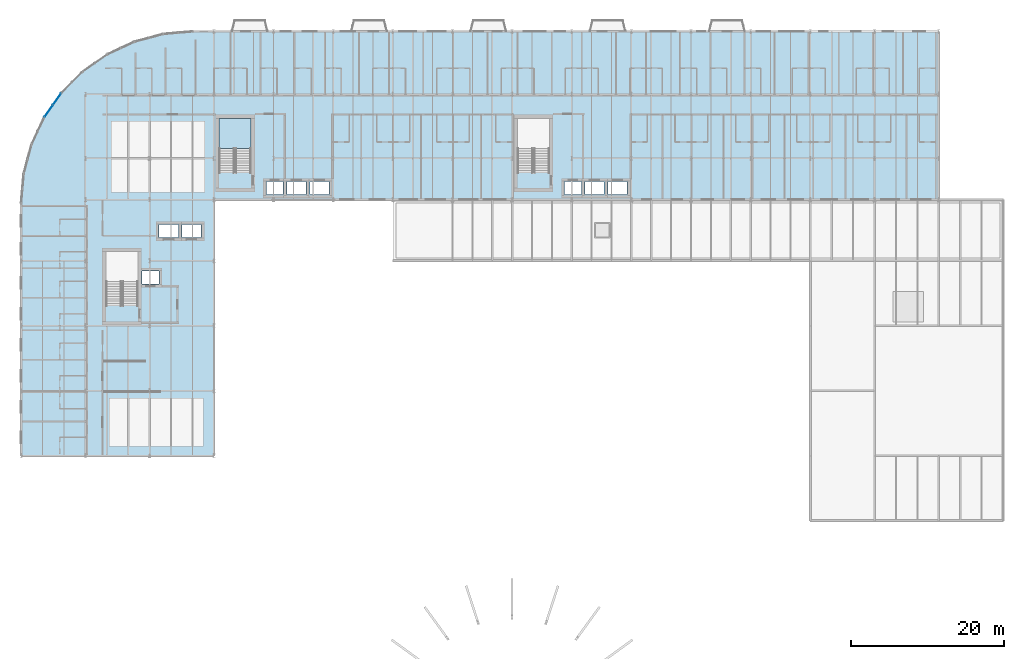
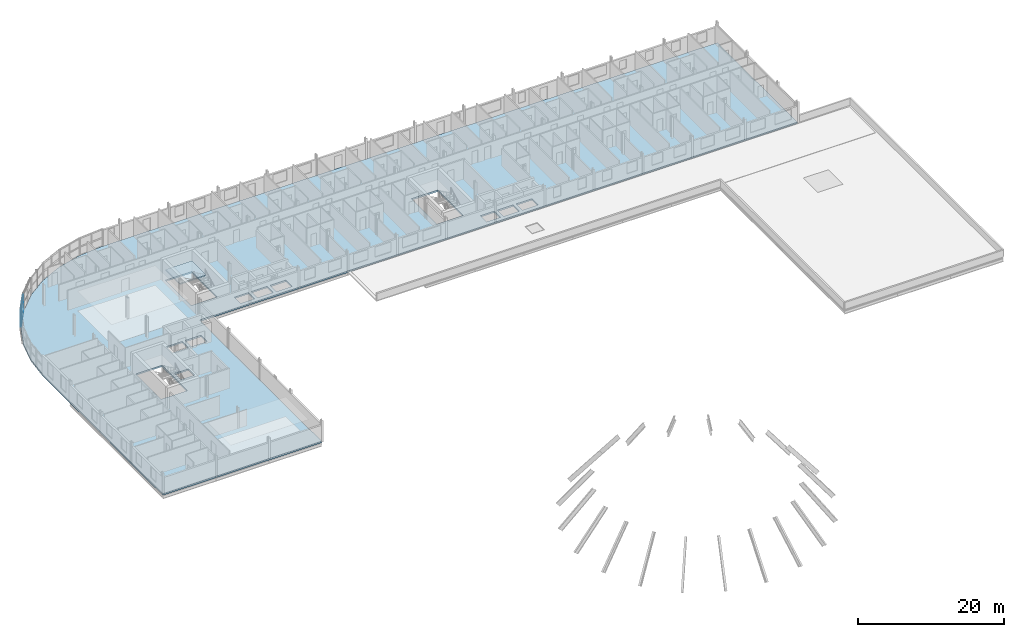
# One storey, part 15 of 36: 4 plates, 2 slabs, 2 elements without a shape of their own.
"""IFC4 building model written with IfcOpenShell, lengths in metres."""

from ifc_helpers import new_model, si_unit, direction, frame, origin, origin_2d, place, context, subcontext, project, spatial, polyline, rectangle, outline, extrude, material, layer, layer_set, type_object, element, aggregate, save


model = new_model("IFC4")

# Units and contexts
model_context = context("Model", 3, precision=1e-05, world=origin(), true_north=direction((0.0, 1.0)))
body_context = subcontext(model_context, "Body", "Model", "MODEL_VIEW")
ifc_project = project(units=[si_unit("LENGTHUNIT", "METRE"), si_unit("AREAUNIT", "SQUARE_METRE"), si_unit("VOLUMEUNIT", "CUBIC_METRE"), si_unit("PLANEANGLEUNIT", "RADIAN"), si_unit("MASSUNIT", "GRAM", prefix="KILO")], contexts=[model_context])

# Site, building, storey
site_placement = place(None, origin())
site = spatial("IfcSite", under=ifc_project, at=site_placement, CompositionType="ELEMENT")
building_placement = place(site_placement, origin())
building = spatial("IfcBuilding", under=site, at=building_placement, Name="Sefraquen Railside Congress Hotel", CompositionType="ELEMENT")
storey_placement = place(building_placement, frame((0.0, 0.0, 24.60009765625)))
storey = spatial("IfcBuildingStorey", under=building, at=storey_placement, Name="L05", CompositionType="ELEMENT", Elevation=24.60009765625)

# Curtain wall, plates
ifc_material_1 = material(Name="Thermally broken anodised aluminium and low-E double glazing", Category="aluminium")
ifc_layer_1 = layer(ifc_material_1, 0.199951171875)
ifc_layer_set_1 = layer_set([ifc_layer_1], Name="Thermally broken anodised aluminium and low-E double glazing")
curtain_wall_type = type_object("IfcCurtainWallType", Name="TCW-UCW-19", PredefinedType="USERDEFINED", material=ifc_layer_set_1)
curtain_wall_placement = place(storey_placement, origin())
curtain_wall = element("IfcCurtainWall", 1, at=curtain_wall_placement, inside=storey, type_object=curtain_wall_type, Name="Rotunda L05 curved curtain wall facet 6", ObjectType="UNITISED CURTAIN WALL", PredefinedType="USERDEFINED")
ifc_material_2 = material(Name="Solar-control low-E double glazing", Category="glass")
ifc_layer_2 = layer(ifc_material_2, 0.02392578125)
ifc_layer_set_2 = layer_set([ifc_layer_2], Name="Solar-control low-E double glazing")
plate_type_1 = type_object("IfcPlateType", Name="TP-CWP-01", PredefinedType="CURTAIN_PANEL", material=ifc_layer_set_2)
plate_1_placement = place(storey_placement, frame((4.690185546875, 109.14306640625, 0.0400390625), z_axis=(0.0, 0.0, 1.0), x_axis=(-0.573605029802, -0.819132022195, 0.0)))
plate_1 = element("IfcPlate", 2, at=plate_1_placement, type_object=plate_type_1, Name="CW-L05-ROT-06 panel 1.1", PredefinedType="CURTAIN_PANEL", context=body_context, shape_type="SweptSolid", body=[
    extrude(rectangle(XDim=1.8310546875, YDim=0.02392578125, at=origin_2d()), origin(), (0.0, 0.0, 1.0), 1.364990234375),
])
plate_2_placement = place(storey_placement, frame((3.58837890625, 107.569580078125, 0.0400390625), z_axis=(0.0, 0.0, 1.0), x_axis=(-0.573605029802, -0.819132022195, 0.0)))
plate_2 = element("IfcPlate", 3, at=plate_2_placement, type_object=plate_type_1, Name="CW-L05-ROT-06 panel 1.2", PredefinedType="CURTAIN_PANEL", context=body_context, shape_type="SweptSolid", body=[
    extrude(rectangle(XDim=1.8310546875, YDim=0.02392578125, at=origin_2d()), origin(), (0.0, 0.0, 1.0), 1.364990234375),
])
ifc_material_3 = material(Name="Triple acoustic solar-control glazing", Category="glass")
ifc_layer_3 = layer(ifc_material_3, 0.031982421875)
ifc_layer_set_3 = layer_set([ifc_layer_3], Name="Triple acoustic solar-control glazing")
plate_type_2 = type_object("IfcPlateType", Name="TP-CWP-02", PredefinedType="CURTAIN_PANEL", material=ifc_layer_set_3)
plate_3_placement = place(storey_placement, frame((4.690185546875, 109.14306640625, 1.48486328125), z_axis=(0.0, 0.0, 1.0), x_axis=(-0.573605029802, -0.819132022195, 0.0)))
plate_3 = element("IfcPlate", 4, at=plate_3_placement, type_object=plate_type_2, Name="CW-L05-ROT-06 panel 2.1", PredefinedType="CURTAIN_PANEL", context=body_context, shape_type="SweptSolid", body=[
    extrude(rectangle(XDim=1.8310546875, YDim=0.031982421875, at=origin_2d()), origin(), (0.0, 0.0, 1.0), 1.364990234375),
])
plate_4_placement = place(storey_placement, frame((3.58837890625, 107.569580078125, 1.48486328125), z_axis=(0.0, 0.0, 1.0), x_axis=(-0.573605029802, -0.819132022195, 0.0)))
plate_4 = element("IfcPlate", 5, at=plate_4_placement, type_object=plate_type_2, Name="CW-L05-ROT-06 panel 2.2", PredefinedType="CURTAIN_PANEL", context=body_context, shape_type="SweptSolid", body=[
    extrude(rectangle(XDim=1.8310546875, YDim=0.031982421875, at=origin_2d()), origin(), (0.0, 0.0, 1.0), 1.364990234375),
])
aggregate(curtain_wall, [plate_1, plate_2, plate_3, plate_4])

# Slab
ifc_material_4 = material(Name="Concrete C40/50", Category="concrete")
ifc_layer_4 = layer(ifc_material_4, 0.260009765625)
ifc_layer_set_4 = layer_set([ifc_layer_4], Name="Concrete C40/50")
slab_type_1 = type_object("IfcSlabType", Name="TS-FS-260", PredefinedType="FLOOR", material=ifc_layer_set_4)
slab_1_placement = place(storey_placement, frame((0.0, 0.0, -0.260009765625)))
element("IfcSlab", 6, at=slab_1_placement, inside=storey, type_object=slab_type_1, Name="Hotel Wing L05 floor slab", PredefinedType="FLOOR", context=body_context, shape_type="SweptSolid", body=[
    extrude(outline(polyline([(0.0, 62.5), (25.199951171875, 62.5), (25.199951171875, 96.0), (120.0, 96.0), (120.0, 118.0), (22.5, 118.0), (18.593017578125, 117.658203125), (14.804443359375, 116.64306640625), (11.25, 114.985595703125), (8.037353515625, 112.736083984375), (5.263916015625, 109.962646484375), (3.014404296875, 106.75), (1.35693359375, 103.195556640625), (0.341796875, 99.406982421875), (0.0, 95.5), (0.0, 62.5)]), holes=[polyline([(11.10009765625, 82.219970703125), (15.260009765625, 82.219970703125), (15.260009765625, 89.2119140625), (11.10009765625, 89.2119140625), (11.10009765625, 82.219970703125)]), polyline([(25.89990234375, 99.6201171875), (30.06005859375, 99.6201171875), (30.06005859375, 106.612060546875), (25.89990234375, 106.612060546875), (25.89990234375, 99.6201171875)]), polyline([(64.89990234375, 99.6201171875), (69.06005859375, 99.6201171875), (69.06005859375, 106.612060546875), (64.89990234375, 106.612060546875), (64.89990234375, 99.6201171875)]), polyline([(15.830078125, 84.949951171875), (18.030029296875, 84.949951171875), (18.030029296875, 86.64990234375), (15.830078125, 86.64990234375), (15.830078125, 84.949951171875)]), polyline([(32.06005859375, 96.64990234375), (34.260009765625, 96.64990234375), (34.260009765625, 98.35009765625), (32.06005859375, 98.35009765625), (32.06005859375, 96.64990234375)]), polyline([(71.06005859375, 96.64990234375), (73.260009765625, 96.64990234375), (73.260009765625, 98.35009765625), (71.06005859375, 98.35009765625), (71.06005859375, 96.64990234375)]), polyline([(18.050048828125, 91.050048828125), (20.550048828125, 91.050048828125), (20.550048828125, 92.75), (18.050048828125, 92.75), (18.050048828125, 91.050048828125)]), polyline([(21.0400390625, 91.050048828125), (23.5400390625, 91.050048828125), (23.5400390625, 92.75), (21.0400390625, 92.75), (21.0400390625, 91.050048828125)]), polyline([(34.75, 96.64990234375), (37.25, 96.64990234375), (37.25, 98.35009765625), (34.75, 98.35009765625), (34.75, 96.64990234375)]), polyline([(37.739990234375, 96.64990234375), (40.239990234375, 96.64990234375), (40.239990234375, 98.35009765625), (37.739990234375, 98.35009765625), (37.739990234375, 96.64990234375)]), polyline([(73.75, 96.64990234375), (76.25, 96.64990234375), (76.25, 98.35009765625), (73.75, 98.35009765625), (73.75, 96.64990234375)]), polyline([(76.739990234375, 96.64990234375), (79.239990234375, 96.64990234375), (79.239990234375, 98.35009765625), (76.739990234375, 98.35009765625), (76.739990234375, 96.64990234375)])]), origin(), (0.0, 0.0, 1.0), 0.260009765625),
])

# Stair, slab
stair_type = type_object("IfcStairType", Name="TST-DOG-198-420", PredefinedType="HALF_TURN_STAIR", material=ifc_material_4)
stair_placement = place(storey_placement, origin())
stair = element("IfcStair", 7, at=stair_placement, inside=storey, type_object=stair_type, Name="L05 Pressurized escape stair ST-H02", PredefinedType="HALF_TURN_STAIR")
ifc_layer_5 = layer(ifc_material_4, 0.199951171875)
ifc_layer_set_5 = layer_set([ifc_layer_5], Name="Concrete C40/50")
slab_type_2 = type_object("IfcSlabType", Name="TS-LD-200", PredefinedType="LANDING", material=ifc_layer_set_5)
slab_2_placement = place(storey_placement, frame((0.0, 0.0, 1.599853515625)))
slab_2 = element("IfcSlab", 8, at=slab_2_placement, type_object=slab_type_2, Name="ST-H02 landing 1", PredefinedType="LANDING", context=body_context, shape_type="SweptSolid", body=[
    extrude(outline(polyline([(30.06005859375, 102.699951171875), (30.06005859375, 106.612060546875), (25.89990234375, 106.612060546875), (25.89990234375, 102.699951171875), (30.06005859375, 102.699951171875)])), origin(), (0.0, 0.0, 1.0), 0.199951171875),
])
aggregate(stair, [slab_2])

save(model, "model.ifc")
